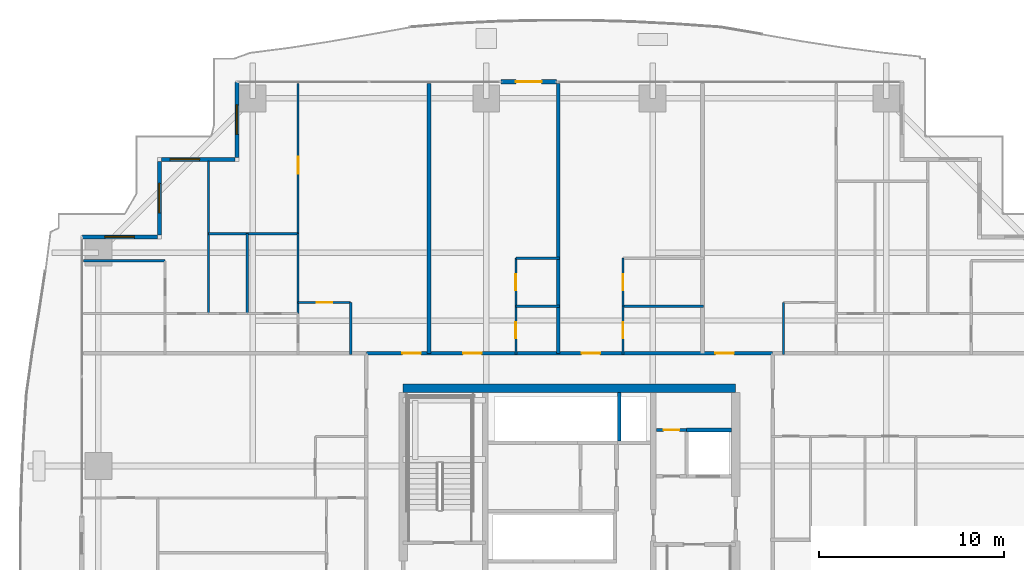
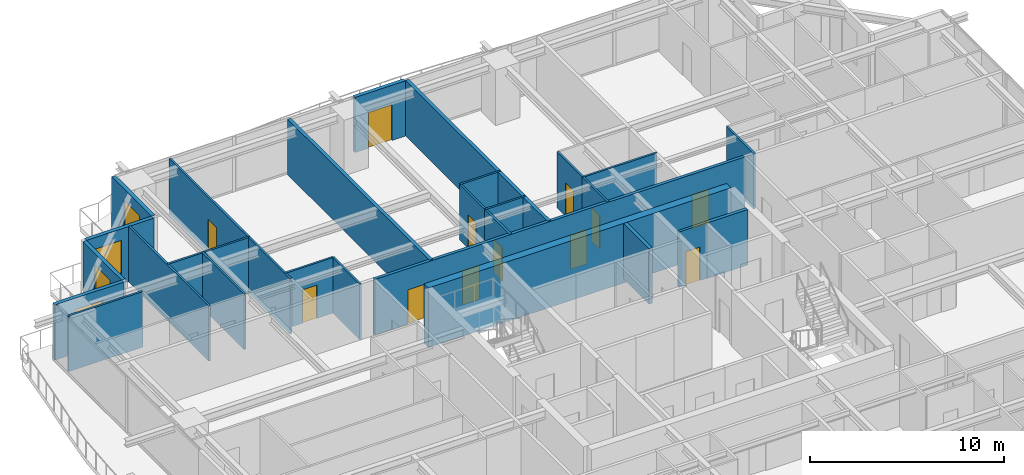
# One storey, part 26 of 34: 28 walls, 12 doors, 4 windows, 16 openings.
"""IFC4 building model written with IfcOpenShell, lengths in metres."""

from ifc_helpers import new_model, si_unit, direction, frame, frame_2d, origin, place, context, subcontext, project, spatial, rectangle, extrude, source, transform, mapped, material, layer, layer_set, type_object, element, fill, save


model = new_model("IFC4")

# Units and contexts
model_context = context("Model", 3, precision=1e-05, world=origin(), true_north=direction((0.0, 1.0)))
body_context = subcontext(model_context, "Body", "Model", "MODEL_VIEW")
ifc_project = project(units=[si_unit("LENGTHUNIT", "METRE"), si_unit("AREAUNIT", "SQUARE_METRE"), si_unit("VOLUMEUNIT", "CUBIC_METRE"), si_unit("PLANEANGLEUNIT", "RADIAN"), si_unit("MASSUNIT", "GRAM", prefix="KILO")], contexts=[model_context])

# Site, building, storey
site_placement = place(None, origin())
site = spatial("IfcSite", under=ifc_project, at=site_placement, CompositionType="ELEMENT")
building_placement = place(site_placement, origin())
building = spatial("IfcBuilding", under=site, at=building_placement, Name="Serunith Strait Residences", CompositionType="ELEMENT")
storey_placement = place(building_placement, frame((0.0, 0.0, 101.699951171875)))
storey = spatial("IfcBuildingStorey", under=building, at=storey_placement, Name="L25", CompositionType="ELEMENT", Elevation=101.699951171875)

# Wall, opening, door
ifc_material_1 = material(Name="Pale-Champagne Aluminium Insulated Panel", Category="aluminium")
ifc_layer_1 = layer(ifc_material_1, 0.219970703125, Name="Pale-Champagne Aluminium Insulated Panel")
ifc_layer_set_1 = layer_set([ifc_layer_1], Name="Pale-Champagne Aluminium Insulated Panel")
wall_type_1 = type_object("IfcWallType", Name="EW-ALUM-220", PredefinedType="ELEMENTEDWALL", material=ifc_layer_set_1)
wall_1_placement = place(storey_placement, frame((31.699951171875, 50.199951171875, 0.0), z_axis=(0.0, 0.0, 1.0), x_axis=(-1.0, 0.0, 0.0)))
wall_1 = element("IfcWall", 1, at=wall_1_placement, inside=storey, type_object=wall_type_1, Name="L25 N Facade Pier Wall", PredefinedType="ELEMENTEDWALL", context=body_context, shape_type="SweptSolid", body=[
    extrude(rectangle(XDim=3.0, YDim=0.219970703125, at=frame_2d((1.5, 0.0))), origin(), (0.0, 0.0, 1.0), 3.47509765625),
])
opening_1_placement = place(wall_1_placement, frame((0.800048828125, 0.0, 0.0)))
opening_1 = element("IfcOpeningElement", 2, at=opening_1_placement, cuts=wall_1, Name="Opening ED-04", PredefinedType="OPENING", context=body_context, shape_type="SweptSolid", body=[
    extrude(rectangle(XDim=1.39990234375, YDim=2.25, at=frame_2d((0.699951171875, 1.125))), frame((0.0, 0.1201171875, 0.0), z_axis=(0.0, -1.0, 0.0), x_axis=(1.0, 0.0, 0.0)), (0.0, 0.0, 1.0), 0.239990234375),
])
ifc_material_2 = material(Name="Thermally-Broken Aluminium Sliding Balcony Door", Category="aluminium")
door_type_1 = type_object("IfcDoorType", Name="ED-BALC-1400", OperationType="NOTDEFINED", PredefinedType="DOOR", material=ifc_material_2)
shared_shape_1 = source(origin(), body_context, "Body", "SweptSolid", [
    extrude(rectangle(XDim=1.39990234375, YDim=2.25, at=frame_2d((0.699951171875, 1.125))), frame((0.0, 0.02490234375, 0.0), z_axis=(0.0, -1.0, 0.0), x_axis=(1.0, 0.0, 0.0)), (0.0, 0.0, 1.0), 0.050048828125),
])
door_1_placement = place(opening_1_placement, origin())
door_1 = element("IfcDoor", 3, at=door_1_placement, inside=storey, type_object=door_type_1, Name="L25 N Vertical-Forest Balcony Door", OperationType="SLIDING_TO_LEFT", OverallHeight=2.25, OverallWidth=1.39990234375, PredefinedType="DOOR", context=body_context, shape_type="MappedRepresentation", body=[
    mapped(shared_shape_1, transform((0.0, 0.0, 0.0), scale=1.0)),
])
fill(opening_1, door_1)

# Wall, opening, window
wall_2_placement = place(storey_placement, frame((14.39990234375, 50.199951171875, 0.0), z_axis=(0.0, 0.0, 1.0), x_axis=(0.0, -1.0, 0.0)))
wall_2 = element("IfcWall", 4, at=wall_2_placement, inside=storey, type_object=wall_type_1, Name="L25 Girih Serrated Corner Wall 12", PredefinedType="ELEMENTEDWALL", context=body_context, shape_type="SweptSolid", body=[
    extrude(rectangle(XDim=4.08984375, YDim=0.219970703125, at=frame_2d((2.044921875, 0.0))), origin(), (0.0, 0.0, 1.0), 3.47509765625),
])
opening_2_placement = place(wall_2_placement, frame((1.2451171875, 0.0, 0.64990234375)))
opening_2 = element("IfcOpeningElement", 5, at=opening_2_placement, cuts=wall_2, Name="Opening W-02", PredefinedType="OPENING", context=body_context, shape_type="SweptSolid", body=[
    extrude(rectangle(XDim=1.60009765625, YDim=2.10009765625, at=frame_2d((0.800048828125, 1.050048828125))), frame((0.0, 0.1201171875, 0.0), z_axis=(0.0, -1.0, 0.0), x_axis=(1.0, 0.0, 0.0)), (0.0, 0.0, 1.0), 0.239990234375),
])
ifc_material_3 = material(Name="Ceramic-Fritted Operable Aluminium Window Glass", Category="aluminium")
window_type = type_object("IfcWindowType", Name="WIN-C2", PartitioningType="DOUBLE_PANEL_VERTICAL", PredefinedType="WINDOW", material=ifc_material_3)
shared_shape_2 = source(origin(), body_context, "Body", "SweptSolid", [
    extrude(rectangle(XDim=1.60009765625, YDim=2.10009765625, at=frame_2d((0.800048828125, 1.050048828125))), frame((0.0, 0.030029296875, 0.0), z_axis=(0.0, -1.0, 0.0), x_axis=(1.0, 0.0, 0.0)), (0.0, 0.0, 1.0), 0.06005859375),
])
window_1_placement = place(opening_2_placement, origin())
window_1 = element("IfcWindow", 6, at=window_1_placement, inside=storey, type_object=window_type, Name="L25 Corner Operable Fritted Window 12", OverallHeight=2.10009765625, OverallWidth=1.60009765625, PartitioningType="SINGLE_PANEL", PredefinedType="WINDOW", context=body_context, shape_type="MappedRepresentation", body=[
    mapped(shared_shape_2, transform((0.0, 0.0, 0.0), scale=1.0)),
])
fill(opening_2, window_1)

wall_3_placement = place(storey_placement, frame((14.2900390625, 46.0, 0.0), z_axis=(0.0, 0.0, 1.0), x_axis=(-1.0, 0.0, 0.0)))
wall_3 = element("IfcWall", 7, at=wall_3_placement, inside=storey, type_object=wall_type_1, Name="L25 Girih Serrated Corner Wall 13", PredefinedType="ELEMENTEDWALL", context=body_context, shape_type="SweptSolid", body=[
    extrude(rectangle(XDim=3.97998046875, YDim=0.219970703125, at=frame_2d((1.989990234375, 0.0))), origin(), (0.0, 0.0, 1.0), 3.47509765625),
])
opening_3_placement = place(wall_3_placement, frame((1.904052734375, 0.0, 0.64990234375)))
opening_3 = element("IfcOpeningElement", 8, at=opening_3_placement, cuts=wall_3, Name="Opening W-02", PredefinedType="OPENING", context=body_context, shape_type="SweptSolid", body=[
    extrude(rectangle(XDim=1.60009765625, YDim=2.10009765625, at=frame_2d((0.800048828125, 1.050048828125))), frame((0.0, 0.1201171875, 0.0), z_axis=(0.0, -1.0, 0.0), x_axis=(1.0, 0.0, 0.0)), (0.0, 0.0, 1.0), 0.239990234375),
])
window_2_placement = place(opening_3_placement, origin())
window_2 = element("IfcWindow", 9, at=window_2_placement, inside=storey, type_object=window_type, Name="L25 Corner Operable Fritted Window 13", OverallHeight=2.10009765625, OverallWidth=1.60009765625, PartitioningType="SINGLE_PANEL", PredefinedType="WINDOW", context=body_context, shape_type="MappedRepresentation", body=[
    mapped(shared_shape_2, transform((0.0, 0.0, 0.0), scale=1.0)),
])
fill(opening_3, window_2)

wall_4_placement = place(storey_placement, frame((10.199951171875, 45.889892578125, 0.0), z_axis=(0.0, 0.0, 1.0), x_axis=(0.0, -1.0, 0.0)))
wall_4 = element("IfcWall", 10, at=wall_4_placement, inside=storey, type_object=wall_type_1, Name="L25 Girih Serrated Corner Wall 14", PredefinedType="ELEMENTEDWALL", context=body_context, shape_type="SweptSolid", body=[
    extrude(rectangle(XDim=3.97998046875, YDim=0.219970703125, at=frame_2d((1.989990234375, 0.0))), origin(), (0.0, 0.0, 1.0), 3.47509765625),
])
opening_4_placement = place(wall_4_placement, frame((1.18994140625, 0.0, 0.64990234375)))
opening_4 = element("IfcOpeningElement", 11, at=opening_4_placement, cuts=wall_4, Name="Opening W-02", PredefinedType="OPENING", context=body_context, shape_type="SweptSolid", body=[
    extrude(rectangle(XDim=1.60009765625, YDim=2.10009765625, at=frame_2d((0.800048828125, 1.050048828125))), frame((0.0, 0.1201171875, 0.0), z_axis=(0.0, -1.0, 0.0), x_axis=(1.0, 0.0, 0.0)), (0.0, 0.0, 1.0), 0.239990234375),
])
window_3_placement = place(opening_4_placement, origin())
window_3 = element("IfcWindow", 12, at=window_3_placement, inside=storey, type_object=window_type, Name="L25 Corner Operable Fritted Window 14", OverallHeight=2.10009765625, OverallWidth=1.60009765625, PartitioningType="SINGLE_PANEL", PredefinedType="WINDOW", context=body_context, shape_type="MappedRepresentation", body=[
    mapped(shared_shape_2, transform((0.0, 0.0, 0.0), scale=1.0)),
])
fill(opening_4, window_3)

wall_5_placement = place(storey_placement, frame((10.090087890625, 41.800048828125, 0.0), z_axis=(0.0, 0.0, 1.0), x_axis=(-1.0, 0.0, 0.0)))
wall_5 = element("IfcWall", 13, at=wall_5_placement, inside=storey, type_object=wall_type_1, Name="L25 Girih Serrated Corner Wall 15", PredefinedType="ELEMENTEDWALL", context=body_context, shape_type="SweptSolid", body=[
    extrude(rectangle(XDim=4.090087890625, YDim=0.219970703125, at=frame_2d((2.044921875, 0.0))), origin(), (0.0, 0.0, 1.0), 3.47509765625),
])
opening_5_placement = place(wall_5_placement, frame((1.2451171875, 0.0, 0.64990234375)))
opening_5 = element("IfcOpeningElement", 14, at=opening_5_placement, cuts=wall_5, Name="Opening W-02", PredefinedType="OPENING", context=body_context, shape_type="SweptSolid", body=[
    extrude(rectangle(XDim=1.60009765625, YDim=2.10009765625, at=frame_2d((0.800048828125, 1.050048828125))), frame((0.0, 0.1201171875, 0.0), z_axis=(0.0, -1.0, 0.0), x_axis=(1.0, 0.0, 0.0)), (0.0, 0.0, 1.0), 0.239990234375),
])
window_4_placement = place(opening_5_placement, origin())
window_4 = element("IfcWindow", 15, at=window_4_placement, inside=storey, type_object=window_type, Name="L25 Corner Operable Fritted Window 15", OverallHeight=2.10009765625, OverallWidth=1.60009765625, PartitioningType="SINGLE_PANEL", PredefinedType="WINDOW", context=body_context, shape_type="MappedRepresentation", body=[
    mapped(shared_shape_2, transform((0.0, 0.0, 0.0), scale=1.0)),
])
fill(opening_5, window_4)

# Wall, opening, door
ifc_material_4 = material(Name="Fire-rated masonry service closet wall", Category="masonry")
ifc_layer_2 = layer(ifc_material_4, 0.14990234375, Name="Fire-rated masonry service closet wall")
ifc_layer_set_2 = layer_set([ifc_layer_2], Name="Fire-rated masonry service closet wall")
wall_type_2 = type_object("IfcWallType", Name="IW-BOH-150", PredefinedType="PARTITIONING", material=ifc_layer_set_2)
wall_6_placement = place(storey_placement, frame((37.10009765625, 31.35009765625, 0.0), z_axis=(0.0, 0.0, 1.0), x_axis=(1.0, 0.0, 0.0)))
wall_6 = element("IfcWall", 16, at=wall_6_placement, inside=storey, type_object=wall_type_2, Name="L25 Partition Wall 012", PredefinedType="PARTITIONING", context=body_context, shape_type="SweptSolid", body=[
    extrude(rectangle(XDim=1.64794921875, YDim=0.14990234375, at=frame_2d((0.823974609375, 0.0))), origin(), (0.0, 0.0, 1.0), 3.489990234375),
])
opening_6_placement = place(wall_6_placement, frame((0.39892578125, 0.0, 0.0)))
opening_6 = element("IfcOpeningElement", 17, at=opening_6_placement, cuts=wall_6, Name="Opening FD-850", PredefinedType="OPENING", context=body_context, shape_type="SweptSolid", body=[
    extrude(rectangle(XDim=0.85009765625, YDim=2.10009765625, at=frame_2d((0.425048828125, 1.050048828125))), frame((0.0, 0.0849609375, 0.0), z_axis=(0.0, -1.0, 0.0), x_axis=(1.0, 0.0, 0.0)), (0.0, 0.0, 1.0), 0.169921875),
])
ifc_material_5 = material(Name="Powder-coated steel service closet door", Category="steel")
door_type_2 = type_object("IfcDoorType", Name="FD-BOH-850", OperationType="NOTDEFINED", PredefinedType="DOOR", material=ifc_material_5)
shared_shape_3 = source(origin(), body_context, "Body", "SweptSolid", [
    extrude(rectangle(XDim=0.85009765625, YDim=2.10009765625, at=frame_2d((0.425048828125, 1.050048828125))), frame((0.0, 0.02490234375, 0.0), z_axis=(0.0, -1.0, 0.0), x_axis=(1.0, 0.0, 0.0)), (0.0, 0.0, 1.0), 0.050048828125),
])
door_2_placement = place(opening_6_placement, origin())
door_2 = element("IfcDoor", 18, at=door_2_placement, inside=storey, type_object=door_type_2, Name="L25 Spare Parts Store Door", OperationType="SINGLE_SWING_RIGHT", OverallHeight=2.10009765625, OverallWidth=0.85009765625, PredefinedType="DOOR", context=body_context, shape_type="MappedRepresentation", body=[
    mapped(shared_shape_3, transform((0.0, 0.0, 0.0), scale=1.0)),
])
fill(opening_6, door_2)

# Wall, openings, doors
ifc_material_6 = material(Name="Fire-rated acoustic gypsum partition")
ifc_layer_3 = layer(ifc_material_6, 0.179931640625, Name="Fire-rated acoustic gypsum partition")
ifc_layer_set_3 = layer_set([ifc_layer_3], Name="Fire-rated acoustic gypsum partition")
wall_type_3 = type_object("IfcWallType", Name="IW-CORR-180", PredefinedType="PARTITIONING", material=ifc_layer_set_3)
wall_7_placement = place(storey_placement, frame((21.402099609375, 35.5, 0.0), z_axis=(0.0, 0.0, 1.0), x_axis=(1.0, 0.0, 0.0)))
wall_7 = element("IfcWall", 19, at=wall_7_placement, inside=storey, type_object=wall_type_3, Name="L25 Partition Wall 025", PredefinedType="PARTITIONING", context=body_context, shape_type="SweptSolid", body=[
    extrude(rectangle(XDim=21.995849609375, YDim=0.179931640625, at=frame_2d((10.998046875, 0.0))), origin(), (0.0, 0.0, 1.0), 3.489990234375),
])
opening_7_placement = place(wall_7_placement, frame((1.9599609375, 0.0, 0.0)))
opening_7 = element("IfcOpeningElement", 20, at=opening_7_placement, cuts=wall_7, Name="Opening D-APT1000", PredefinedType="OPENING", context=body_context, shape_type="SweptSolid", body=[
    extrude(rectangle(XDim=1.0, YDim=2.14990234375, at=frame_2d((0.5, 1.074951171875))), frame((0.0, 0.10009765625, 0.0), z_axis=(0.0, -1.0, 0.0), x_axis=(1.0, 0.0, 0.0)), (0.0, 0.0, 1.0), 0.199951171875),
])
opening_8_placement = place(wall_7_placement, frame((5.2490234375, 0.0, 0.0)))
opening_8 = element("IfcOpeningElement", 21, at=opening_8_placement, cuts=wall_7, Name="Opening D-APT1000", PredefinedType="OPENING", context=body_context, shape_type="SweptSolid", body=[
    extrude(rectangle(XDim=1.0, YDim=2.14990234375, at=frame_2d((0.5, 1.074951171875))), frame((0.0, 0.10009765625, 0.0), z_axis=(0.0, -1.0, 0.0), x_axis=(1.0, 0.0, 0.0)), (0.0, 0.0, 1.0), 0.199951171875),
])
opening_9_placement = place(wall_7_placement, frame((11.653076171875, 0.0, 0.0)))
opening_9 = element("IfcOpeningElement", 22, at=opening_9_placement, cuts=wall_7, Name="Opening D-APT1000", PredefinedType="OPENING", context=body_context, shape_type="SweptSolid", body=[
    extrude(rectangle(XDim=1.0, YDim=2.14990234375, at=frame_2d((0.5, 1.074951171875))), frame((0.0, 0.10009765625, 0.0), z_axis=(0.0, -1.0, 0.0), x_axis=(1.0, 0.0, 0.0)), (0.0, 0.0, 1.0), 0.199951171875),
])
opening_10_placement = place(wall_7_placement, frame((18.89599609375, 0.0, 0.0)))
opening_10 = element("IfcOpeningElement", 23, at=opening_10_placement, cuts=wall_7, Name="Opening D-APT1000", PredefinedType="OPENING", context=body_context, shape_type="SweptSolid", body=[
    extrude(rectangle(XDim=1.0, YDim=2.14990234375, at=frame_2d((0.5, 1.074951171875))), frame((0.0, 0.10009765625, 0.0), z_axis=(0.0, -1.0, 0.0), x_axis=(1.0, 0.0, 0.0)), (0.0, 0.0, 1.0), 0.199951171875),
])
ifc_material_7 = material(Name="Solid timber engineered fire door", Category="wood")
door_type_3 = type_object("IfcDoorType", Name="ID-APT-1000", OperationType="NOTDEFINED", PredefinedType="DOOR", material=ifc_material_7)
shared_shape_4 = source(origin(), body_context, "Body", "SweptSolid", [
    extrude(rectangle(XDim=1.0, YDim=2.14990234375, at=frame_2d((0.5, 1.074951171875))), frame((0.0, 0.02490234375, 0.0), z_axis=(0.0, -1.0, 0.0), x_axis=(1.0, 0.0, 0.0)), (0.0, 0.0, 1.0), 0.050048828125),
])
door_3_placement = place(opening_7_placement, origin())
door_3 = element("IfcDoor", 24, at=door_3_placement, inside=storey, type_object=door_type_3, Name="L25 Unit 03 Entrance Door", OperationType="SINGLE_SWING_LEFT", OverallHeight=2.14990234375, OverallWidth=1.0, PredefinedType="DOOR", context=body_context, shape_type="MappedRepresentation", body=[
    mapped(shared_shape_4, transform((0.0, 0.0, 0.0), scale=1.0)),
])
fill(opening_7, door_3)
door_4_placement = place(opening_8_placement, origin())
door_4 = element("IfcDoor", 25, at=door_4_placement, inside=storey, type_object=door_type_3, Name="L25 Unit 04 Entrance Door", OperationType="SINGLE_SWING_RIGHT", OverallHeight=2.14990234375, OverallWidth=1.0, PredefinedType="DOOR", context=body_context, shape_type="MappedRepresentation", body=[
    mapped(shared_shape_4, transform((0.0, 0.0, 0.0), scale=1.0)),
])
fill(opening_8, door_4)
door_5_placement = place(opening_9_placement, origin())
door_5 = element("IfcDoor", 26, at=door_5_placement, inside=storey, type_object=door_type_3, Name="L25 Unit 05 Entrance Door", OperationType="SINGLE_SWING_LEFT", OverallHeight=2.14990234375, OverallWidth=1.0, PredefinedType="DOOR", context=body_context, shape_type="MappedRepresentation", body=[
    mapped(shared_shape_4, transform((0.0, 0.0, 0.0), scale=1.0)),
])
fill(opening_9, door_5)
door_6_placement = place(opening_10_placement, origin())
door_6 = element("IfcDoor", 27, at=door_6_placement, inside=storey, type_object=door_type_3, Name="L25 Unit 06 Entrance Door", OperationType="SINGLE_SWING_RIGHT", OverallHeight=2.14990234375, OverallWidth=1.0, PredefinedType="DOOR", context=body_context, shape_type="MappedRepresentation", body=[
    mapped(shared_shape_4, transform((0.0, 0.0, 0.0), scale=1.0)),
])
fill(opening_10, door_6)

# Wall, opening, door
ifc_material_8 = material(Name="Lightweight steel-stud gypsum partition", Category="steel")
ifc_layer_4 = layer(ifc_material_8, 0.1201171875, Name="Lightweight steel-stud gypsum partition")
ifc_layer_set_4 = layer_set([ifc_layer_4], Name="Lightweight steel-stud gypsum partition")
wall_type_4 = type_object("IfcWallType", Name="IW-PART-120", PredefinedType="PARTITIONING", material=ifc_layer_set_4)
wall_8_placement = place(storey_placement, frame((17.7099609375, 38.25, 0.0), z_axis=(0.0, 0.0, 1.0), x_axis=(1.0, 0.0, 0.0)))
wall_8 = element("IfcWall", 28, at=wall_8_placement, inside=storey, type_object=wall_type_4, Name="L25 Partition Wall 062", PredefinedType="PARTITIONING", context=body_context, shape_type="SweptSolid", body=[
    extrude(rectangle(XDim=2.85009765625, YDim=0.1201171875, at=frame_2d((1.425048828125, 0.0))), origin(), (0.0, 0.0, 1.0), 3.489990234375),
])
opening_11_placement = place(wall_8_placement, frame((1.0, 0.0, 0.0)))
opening_11 = element("IfcOpeningElement", 29, at=opening_11_placement, cuts=wall_8, Name="Opening D-RM850", PredefinedType="OPENING", context=body_context, shape_type="SweptSolid", body=[
    extrude(rectangle(XDim=0.85009765625, YDim=2.10009765625, at=frame_2d((0.425048828125, 1.050048828125))), frame((0.0, 0.070068359375, 0.0), z_axis=(0.0, -1.0, 0.0), x_axis=(1.0, 0.0, 0.0)), (0.0, 0.0, 1.0), 0.14013671875),
])
ifc_material_9 = material(Name="Engineered timber flush study and kitchen door", Category="wood")
door_type_4 = type_object("IfcDoorType", Name="ID-ROOM-850", OperationType="NOTDEFINED", PredefinedType="DOOR", material=ifc_material_9)
door_7_placement = place(opening_11_placement, origin())
door_7 = element("IfcDoor", 30, at=door_7_placement, inside=storey, type_object=door_type_4, Name="L25 Kitchen 2503 Door", OperationType="SINGLE_SWING_RIGHT", OverallHeight=2.10009765625, OverallWidth=0.85009765625, PredefinedType="DOOR", context=body_context, shape_type="MappedRepresentation", body=[
    mapped(shared_shape_3, transform((0.0, 0.0, 0.0), scale=1.0)),
])
fill(opening_11, door_7)

# Wall
wall_9_placement = place(storey_placement, frame((20.56005859375, 38.25, 0.0), z_axis=(0.0, 0.0, 1.0), x_axis=(0.0, -1.0, 0.0)))
element("IfcWall", 31, at=wall_9_placement, inside=storey, type_object=wall_type_4, Name="L25 Partition Wall 063", PredefinedType="PARTITIONING", context=body_context, shape_type="SweptSolid", body=[
    extrude(rectangle(XDim=2.81005859375, YDim=0.1201171875, at=frame_2d((1.405029296875, 0.0))), origin(), (0.0, 0.0, 1.0), 3.489990234375),
])

# Wall, opening, door
wall_10_placement = place(storey_placement, frame((17.7099609375, 50.10498046875, 0.0), z_axis=(0.0, 0.0, 1.0), x_axis=(0.0, -1.0, 0.0)))
wall_10 = element("IfcWall", 32, at=wall_10_placement, inside=storey, type_object=wall_type_4, Name="L25 Partition Wall 065", PredefinedType="PARTITIONING", context=body_context, shape_type="SweptSolid", body=[
    extrude(rectangle(XDim=8.12890625, YDim=0.1201171875, at=frame_2d((4.064453125, 0.0))), origin(), (0.0, 0.0, 1.0), 3.489990234375),
])
opening_12_placement = place(wall_10_placement, frame((3.97607421875, 0.0, 0.0)))
opening_12 = element("IfcOpeningElement", 33, at=opening_12_placement, cuts=wall_10, Name="Opening D-RM900", PredefinedType="OPENING", context=body_context, shape_type="SweptSolid", body=[
    extrude(rectangle(XDim=0.89990234375, YDim=2.10009765625, at=frame_2d((0.449951171875, 1.050048828125))), frame((0.0, 0.070068359375, 0.0), z_axis=(0.0, -1.0, 0.0), x_axis=(1.0, 0.0, 0.0)), (0.0, 0.0, 1.0), 0.14013671875),
])
ifc_material_10 = material(Name="Engineered timber flush bedroom door", Category="wood")
door_type_5 = type_object("IfcDoorType", Name="ID-ROOM-900", OperationType="NOTDEFINED", PredefinedType="DOOR", material=ifc_material_10)
shared_shape_5 = source(origin(), body_context, "Body", "SweptSolid", [
    extrude(rectangle(XDim=0.89990234375, YDim=2.10009765625, at=frame_2d((0.449951171875, 1.050048828125))), frame((0.0, 0.02490234375, 0.0), z_axis=(0.0, -1.0, 0.0), x_axis=(1.0, 0.0, 0.0)), (0.0, 0.0, 1.0), 0.050048828125),
])
door_8_placement = place(opening_12_placement, origin())
door_8 = element("IfcDoor", 34, at=door_8_placement, inside=storey, type_object=door_type_5, Name="L25 Formal Dining Room 1 2503 Door", OperationType="SINGLE_SWING_RIGHT", OverallHeight=2.10009765625, OverallWidth=0.89990234375, PredefinedType="DOOR", context=body_context, shape_type="MappedRepresentation", body=[
    mapped(shared_shape_5, transform((0.0, 0.0, 0.0), scale=1.0)),
])
fill(opening_12, door_8)

# Walls
wall_11_placement = place(storey_placement, frame((17.7099609375, 41.97412109375, 0.0), z_axis=(0.0, 0.0, 1.0), x_axis=(0.0, -1.0, 0.0)))
element("IfcWall", 35, at=wall_11_placement, inside=storey, type_object=wall_type_4, Name="L25 Partition Wall 066", PredefinedType="PARTITIONING", context=body_context, shape_type="SweptSolid", body=[
    extrude(rectangle(XDim=4.322021484375, YDim=0.1201171875, at=frame_2d((2.1611328125, 0.0))), origin(), (0.0, 0.0, 1.0), 3.489990234375),
])
wall_12_placement = place(storey_placement, frame((12.860107421875, 41.97607421875, 0.0), z_axis=(0.0, 0.0, 1.0), x_axis=(1.0, 0.0, 0.0)))
element("IfcWall", 36, at=wall_12_placement, inside=storey, type_object=wall_type_4, Name="L25 Partition Wall 067", PredefinedType="PARTITIONING", context=body_context, shape_type="SweptSolid", body=[
    extrude(rectangle(XDim=4.849853515625, YDim=0.1201171875, at=frame_2d((2.4248046875, 0.0))), origin(), (0.0, 0.0, 1.0), 3.489990234375),
])
wall_13_placement = place(storey_placement, frame((12.860107421875, 45.905029296875, 0.0), z_axis=(0.0, 0.0, 1.0), x_axis=(0.0, -1.0, 0.0)))
element("IfcWall", 37, at=wall_13_placement, inside=storey, type_object=wall_type_4, Name="L25 Partition Wall 068", PredefinedType="PARTITIONING", context=body_context, shape_type="SweptSolid", body=[
    extrude(rectangle(XDim=8.255126953125, YDim=0.1201171875, at=frame_2d((4.12744140625, 0.0))), origin(), (0.0, 0.0, 1.0), 3.489990234375),
])
wall_14_placement = place(storey_placement, frame((14.9599609375, 41.97607421875, 0.0), z_axis=(0.0, 0.0, 1.0), x_axis=(0.0, -1.0, 0.0)))
element("IfcWall", 38, at=wall_14_placement, inside=storey, type_object=wall_type_4, Name="L25 Partition Wall 069", PredefinedType="PARTITIONING", context=body_context, shape_type="SweptSolid", body=[
    extrude(rectangle(XDim=4.326171875, YDim=0.1201171875, at=frame_2d((2.1630859375, 0.0))), origin(), (0.0, 0.0, 1.0), 3.489990234375),
])
wall_15_placement = place(storey_placement, frame((6.094970703125, 40.506103515625, 0.0), z_axis=(0.0, 0.0, 1.0), x_axis=(1.0, 0.0, 0.0)))
element("IfcWall", 39, at=wall_15_placement, inside=storey, type_object=wall_type_4, Name="L25 Partition Wall 073", PredefinedType="PARTITIONING", context=body_context, shape_type="SweptSolid", body=[
    extrude(rectangle(XDim=4.4150390625, YDim=0.1201171875, at=frame_2d((2.20751953125, 0.0))), origin(), (0.0, 0.0, 1.0), 3.489990234375),
])

# Wall, opening, door
wall_16_placement = place(storey_placement, frame((29.5, 40.64990234375, 0.0), z_axis=(0.0, 0.0, 1.0), x_axis=(0.0, -1.0, 0.0)))
wall_16 = element("IfcWall", 40, at=wall_16_placement, inside=storey, type_object=wall_type_4, Name="L25 Partition Wall 077", PredefinedType="PARTITIONING", context=body_context, shape_type="SweptSolid", body=[
    extrude(rectangle(XDim=2.599853515625, YDim=0.1201171875, at=frame_2d((1.2998046875, 0.0))), origin(), (0.0, 0.0, 1.0), 3.489990234375),
])
opening_13_placement = place(wall_16_placement, frame((0.875, 0.0, 0.0)))
opening_13 = element("IfcOpeningElement", 41, at=opening_13_placement, cuts=wall_16, Name="Opening D-RM850", PredefinedType="OPENING", context=body_context, shape_type="SweptSolid", body=[
    extrude(rectangle(XDim=0.85009765625, YDim=2.10009765625, at=frame_2d((0.425048828125, 1.050048828125))), frame((0.0, 0.070068359375, 0.0), z_axis=(0.0, -1.0, 0.0), x_axis=(1.0, 0.0, 0.0)), (0.0, 0.0, 1.0), 0.14013671875),
])
door_9_placement = place(opening_13_placement, origin())
door_9 = element("IfcDoor", 42, at=door_9_placement, inside=storey, type_object=door_type_4, Name="L25 Kitchen 2504 Door", OperationType="SINGLE_SWING_RIGHT", OverallHeight=2.10009765625, OverallWidth=0.85009765625, PredefinedType="DOOR", context=body_context, shape_type="MappedRepresentation", body=[
    mapped(shared_shape_3, transform((0.0, 0.0, 0.0), scale=1.0)),
])
fill(opening_13, door_9)

wall_17_placement = place(storey_placement, frame((29.5, 38.048095703125, 0.0), z_axis=(0.0, 0.0, 1.0), x_axis=(0.0, -1.0, 0.0)))
wall_17 = element("IfcWall", 43, at=wall_17_placement, inside=storey, type_object=wall_type_4, Name="L25 Partition Wall 078", PredefinedType="PARTITIONING", context=body_context, shape_type="SweptSolid", body=[
    extrude(rectangle(XDim=2.608154296875, YDim=0.1201171875, at=frame_2d((1.30419921875, 0.0))), origin(), (0.0, 0.0, 1.0), 3.489990234375),
])
opening_14_placement = place(wall_17_placement, frame((0.87890625, 0.0, 0.0)))
opening_14 = element("IfcOpeningElement", 44, at=opening_14_placement, cuts=wall_17, Name="Opening D-BTH850", PredefinedType="OPENING", context=body_context, shape_type="SweptSolid", body=[
    extrude(rectangle(XDim=0.85009765625, YDim=2.10009765625, at=frame_2d((0.425048828125, 1.050048828125))), frame((0.0, 0.070068359375, 0.0), z_axis=(0.0, -1.0, 0.0), x_axis=(1.0, 0.0, 0.0)), (0.0, 0.0, 1.0), 0.14013671875),
])
ifc_material_11 = material(Name="Moisture-resistant timber bathroom door", Category="wood")
door_type_6 = type_object("IfcDoorType", Name="ID-BATH-850", OperationType="NOTDEFINED", PredefinedType="DOOR", material=ifc_material_11)
door_10_placement = place(opening_14_placement, origin())
door_10 = element("IfcDoor", 45, at=door_10_placement, inside=storey, type_object=door_type_6, Name="L25 Bathroom 2504 Door", OperationType="SINGLE_SWING_LEFT", OverallHeight=2.10009765625, OverallWidth=0.85009765625, PredefinedType="DOOR", context=body_context, shape_type="MappedRepresentation", body=[
    mapped(shared_shape_3, transform((0.0, 0.0, 0.0), scale=1.0)),
])
fill(opening_14, door_10)

# Walls
for number, where, z_axis, x_axis, name in (
    (46, (29.5, 38.050048828125, 0.0), (0.0, 0.0, 1.0), (1.0, 0.0, 0.0), "L25 Partition Wall 079"),
    (47, (29.5, 40.64990234375, 0.0), (0.0, 0.0, 1.0), (1.0, 0.0, 0.0), "L25 Partition Wall 080"),
):
    element("IfcWall", number, at=place(storey_placement, frame(where, z_axis=z_axis, x_axis=x_axis)), inside=storey, type_object=wall_type_4, Name=name, PredefinedType="PARTITIONING", context=body_context, shape_type="SweptSolid", body=[
        extrude(rectangle(XDim=2.360107421875, YDim=0.1201171875, at=frame_2d((1.18017578125, 0.0))), origin(), (0.0, 0.0, 1.0), 3.489990234375),
    ])

# Wall, opening, door
wall_18_placement = place(storey_placement, frame((35.300048828125, 40.64990234375, 0.0), z_axis=(0.0, 0.0, 1.0), x_axis=(0.0, -1.0, 0.0)))
wall_18 = element("IfcWall", 48, at=wall_18_placement, inside=storey, type_object=wall_type_4, Name="L25 Partition Wall 081", PredefinedType="PARTITIONING", context=body_context, shape_type="SweptSolid", body=[
    extrude(rectangle(XDim=2.599853515625, YDim=0.1201171875, at=frame_2d((1.2998046875, 0.0))), origin(), (0.0, 0.0, 1.0), 3.489990234375),
])
opening_15_placement = place(wall_18_placement, frame((0.875, 0.0, 0.0)))
opening_15 = element("IfcOpeningElement", 49, at=opening_15_placement, cuts=wall_18, Name="Opening D-RM850", PredefinedType="OPENING", context=body_context, shape_type="SweptSolid", body=[
    extrude(rectangle(XDim=0.85009765625, YDim=2.10009765625, at=frame_2d((0.425048828125, 1.050048828125))), frame((0.0, 0.070068359375, 0.0), z_axis=(0.0, -1.0, 0.0), x_axis=(1.0, 0.0, 0.0)), (0.0, 0.0, 1.0), 0.14013671875),
])
door_11_placement = place(opening_15_placement, origin())
door_11 = element("IfcDoor", 50, at=door_11_placement, inside=storey, type_object=door_type_4, Name="L25 Kitchen 2505 Door", OperationType="SINGLE_SWING_RIGHT", OverallHeight=2.10009765625, OverallWidth=0.85009765625, PredefinedType="DOOR", context=body_context, shape_type="MappedRepresentation", body=[
    mapped(shared_shape_3, transform((0.0, 0.0, 0.0), scale=1.0)),
])
fill(opening_15, door_11)

wall_19_placement = place(storey_placement, frame((35.300048828125, 38.048095703125, 0.0), z_axis=(0.0, 0.0, 1.0), x_axis=(0.0, -1.0, 0.0)))
wall_19 = element("IfcWall", 51, at=wall_19_placement, inside=storey, type_object=wall_type_4, Name="L25 Partition Wall 082", PredefinedType="PARTITIONING", context=body_context, shape_type="SweptSolid", body=[
    extrude(rectangle(XDim=2.608154296875, YDim=0.1201171875, at=frame_2d((1.30419921875, 0.0))), origin(), (0.0, 0.0, 1.0), 3.489990234375),
])
opening_16_placement = place(wall_19_placement, frame((0.87890625, 0.0, 0.0)))
opening_16 = element("IfcOpeningElement", 52, at=opening_16_placement, cuts=wall_19, Name="Opening D-BTH850", PredefinedType="OPENING", context=body_context, shape_type="SweptSolid", body=[
    extrude(rectangle(XDim=0.85009765625, YDim=2.10009765625, at=frame_2d((0.425048828125, 1.050048828125))), frame((0.0, 0.070068359375, 0.0), z_axis=(0.0, -1.0, 0.0), x_axis=(1.0, 0.0, 0.0)), (0.0, 0.0, 1.0), 0.14013671875),
])
door_12_placement = place(opening_16_placement, origin())
door_12 = element("IfcDoor", 53, at=door_12_placement, inside=storey, type_object=door_type_6, Name="L25 Bathroom 2505 Door", OperationType="SINGLE_SWING_LEFT", OverallHeight=2.10009765625, OverallWidth=0.85009765625, PredefinedType="DOOR", context=body_context, shape_type="MappedRepresentation", body=[
    mapped(shared_shape_3, transform((0.0, 0.0, 0.0), scale=1.0)),
])
fill(opening_16, door_12)

# Walls
wall_20_placement = place(storey_placement, frame((35.300048828125, 38.050048828125, 0.0), z_axis=(0.0, 0.0, 1.0), x_axis=(1.0, 0.0, 0.0)))
element("IfcWall", 54, at=wall_20_placement, inside=storey, type_object=wall_type_4, Name="L25 Partition Wall 083", PredefinedType="PARTITIONING", context=body_context, shape_type="SweptSolid", body=[
    extrude(rectangle(XDim=4.35986328125, YDim=0.1201171875, at=frame_2d((2.179931640625, 0.0))), origin(), (0.0, 0.0, 1.0), 3.489990234375),
])
wall_21_placement = place(storey_placement, frame((43.989990234375, 38.25, 0.0), z_axis=(0.0, 0.0, 1.0), x_axis=(0.0, -1.0, 0.0)))
element("IfcWall", 55, at=wall_21_placement, inside=storey, type_object=wall_type_4, Name="L25 Partition Wall 086", PredefinedType="PARTITIONING", context=body_context, shape_type="SweptSolid", body=[
    extrude(rectangle(XDim=2.81005859375, YDim=0.1201171875, at=frame_2d((1.405029296875, 0.0))), origin(), (0.0, 0.0, 1.0), 3.489990234375),
])
ifc_material_12 = material(Name="Twin-stud acoustic gypsum board partition")
ifc_layer_5 = layer(ifc_material_12, 0.199951171875, Name="Twin-stud acoustic gypsum board partition")
ifc_layer_set_5 = layer_set([ifc_layer_5], Name="Twin-stud acoustic gypsum board partition")
wall_type_5 = type_object("IfcWallType", Name="IW-PARTY-200", PredefinedType="PARTITIONING", material=ifc_layer_set_5)
for number, where, z_axis, x_axis, name in (
    (56, (24.800048828125, 35.5, 0.0), (0.0, 0.0, 1.0), (0.0, 1.0, 0.0), "L25 Partition Wall 016"),
    (57, (31.800048828125, 35.5, 0.0), (0.0, 0.0, 1.0), (0.0, 1.0, 0.0), "L25 Partition Wall 017"),
):
    element("IfcWall", number, at=place(storey_placement, frame(where, z_axis=z_axis, x_axis=x_axis)), inside=storey, type_object=wall_type_5, Name=name, PredefinedType="PARTITIONING", context=body_context, shape_type="SweptSolid", body=[
        extrude(rectangle(XDim=14.617919921875, YDim=0.199951171875, at=frame_2d((7.30908203125, 0.0))), origin(), (0.0, 0.0, 1.0), 3.489990234375),
    ])
ifc_material_13 = material(Name="Autoclaved aerated concrete blockwork", Category="masonry")
ifc_layer_6 = layer(ifc_material_13, 0.199951171875, Name="Autoclaved aerated concrete blockwork")
ifc_layer_set_6 = layer_set([ifc_layer_6], Name="Autoclaved aerated concrete blockwork")
wall_type_6 = type_object("IfcWallType", Name="IW-SHAFT-200", PredefinedType="STANDARD", material=ifc_layer_set_6)
wall_22_placement = place(storey_placement, frame((35.10009765625, 30.75, 0.0), z_axis=(0.0, 0.0, 1.0), x_axis=(0.0, 1.0, 0.0)))
element("IfcWall", 58, at=wall_22_placement, inside=storey, type_object=wall_type_6, Name="L25 SL-1 West Shaft Wall", PredefinedType="STANDARD", context=body_context, shape_type="SweptSolid", body=[
    extrude(rectangle(XDim=2.625, YDim=0.199951171875, at=frame_2d((1.3125, 0.0))), origin(), (0.0, 0.0, 1.0), 3.489990234375),
])
wall_23_placement = place(storey_placement, frame((38.75, 31.35009765625, 0.0), z_axis=(0.0, 0.0, 1.0), x_axis=(1.0, 0.0, 0.0)))
element("IfcWall", 59, at=wall_23_placement, inside=storey, type_object=wall_type_6, Name="L25 Partition Wall 005", PredefinedType="STANDARD", context=body_context, shape_type="SweptSolid", body=[
    extrude(rectangle(XDim=2.425048828125, YDim=0.199951171875, at=frame_2d((1.21240234375, 0.0))), origin(), (0.0, 0.0, 1.0), 3.489990234375),
])
ifc_material_14 = material(Name="Concrete C80/95", Category="concrete")
ifc_layer_7 = layer(ifc_material_14, 0.449951171875, Name="Concrete C80/95")
ifc_layer_set_7 = layer_set([ifc_layer_7], Name="Concrete C80/95")
wall_type_7 = type_object("IfcWallType", Name="SW-450-C80", PredefinedType="SHEAR", material=ifc_layer_set_7)
wall_24_placement = place(storey_placement, frame((41.39990234375, 33.60009765625, -0.260009765625), z_axis=(0.0, 0.0, 1.0), x_axis=(-1.0, 0.0, 0.0)))
element("IfcWall", 60, at=wall_24_placement, inside=storey, type_object=wall_type_7, Name="L25 Core North Shear Wall", PredefinedType="SHEAR", context=body_context, shape_type="SweptSolid", body=[
    extrude(rectangle(XDim=18.0, YDim=0.449951171875, at=frame_2d((9.0, 0.0))), origin(), (0.0, 0.0, 1.0), 3.748046875),
])

save(model, "model.ifc")
